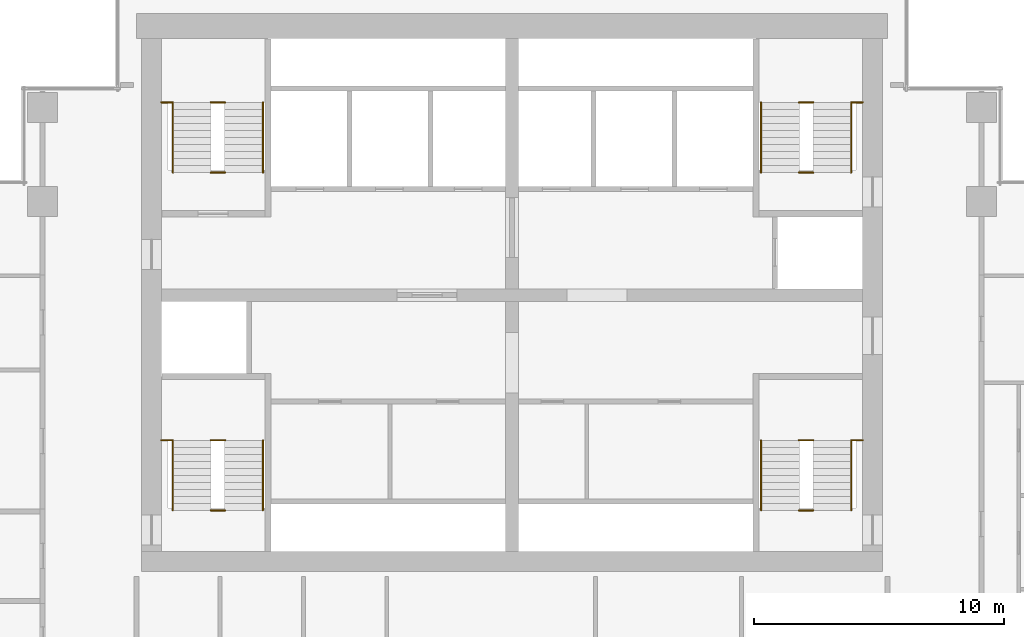
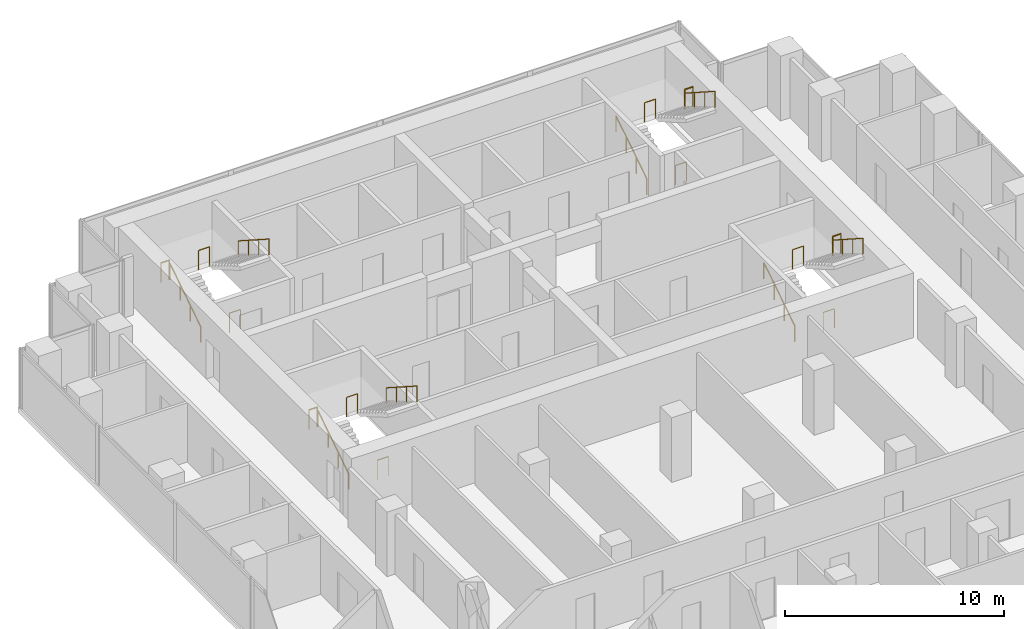
# One storey, part 11 of 11: 20 railings.
"""IFC4 building model written with IfcOpenShell, lengths in metres."""

from ifc_helpers import new_model, si_unit, direction, frame, origin, origin_2d, place, context, subcontext, project, spatial, circle, extrude, material, type_object, element, save


model = new_model("IFC4")

# Units and contexts
model_context = context("Model", 3, precision=1e-05, world=origin(), true_north=direction((0.0, 1.0)))
body_context = subcontext(model_context, "Body", "Model", "MODEL_VIEW")
ifc_project = project(units=[si_unit("LENGTHUNIT", "METRE"), si_unit("AREAUNIT", "SQUARE_METRE"), si_unit("VOLUMEUNIT", "CUBIC_METRE"), si_unit("PLANEANGLEUNIT", "RADIAN"), si_unit("MASSUNIT", "GRAM", prefix="KILO")], contexts=[model_context])

# Site, building, storey
site_placement = place(None, origin())
site = spatial("IfcSite", under=ifc_project, at=site_placement, CompositionType="ELEMENT")
building_placement = place(site_placement, origin())
building = spatial("IfcBuilding", under=site, at=building_placement, Name="Pilkhan Gate Tower", CompositionType="ELEMENT")
storey_placement = place(building_placement, frame((0.0, 0.0, 172.89990234375)))
storey = spatial("IfcBuildingStorey", under=building, at=storey_placement, Name="L44", CompositionType="ELEMENT", Elevation=172.89990234375)

# Railings
ifc_material_1 = material(Name="Black powder-coated steel tube", Category="steel")
railing_type_1 = type_object("IfcRailingType", Name="Stair handrail HR1", PredefinedType="HANDRAIL", material=ifc_material_1)
railing_1_placement = place(storey_placement, frame((84.949951171875, 73.89990234375, 0.0)))
element("IfcRailing", 1, at=railing_1_placement, inside=storey, type_object=railing_type_1, Name="Stair ST1 handrail L44", PredefinedType="HANDRAIL", context=body_context, shape_type="SweptSolid", body=[
    extrude(circle(Radius=0.02392578125, at=origin_2d()), frame((0.0, 0.0, 0.8759765625), z_axis=(0.0, 0.841176092368, 0.540761298198), x_axis=(-1.0, 0.0, 0.0)), (0.0, 0.0, 1.0), 3.32861328125),
    extrude(circle(Radius=0.02099609375, at=origin_2d()), origin(), (0.0, 0.0, 1.0), 0.851806640625),
    extrude(circle(Radius=0.02099609375, at=origin_2d()), frame((0.0, 0.933349609375, 0.60009765625)), (0.0, 0.0, 1.0), 0.851806640625),
    extrude(circle(Radius=0.02099609375, at=origin_2d()), frame((0.0, 1.86669921875, 1.199951171875)), (0.0, 0.0, 1.0), 0.851806640625),
    extrude(circle(Radius=0.02099609375, at=origin_2d()), frame((0.0, 2.800048828125, 1.800048828125)), (0.0, 0.0, 1.0), 0.851806640625),
])
railing_2_placement = place(storey_placement, frame((88.550048828125, 76.699951171875, 1.800048828125)))
element("IfcRailing", 2, at=railing_2_placement, inside=storey, type_object=railing_type_1, Name="Stair ST1 handrail L44", PredefinedType="HANDRAIL", context=body_context, shape_type="SweptSolid", body=[
    extrude(circle(Radius=0.02392578125, at=origin_2d()), frame((0.0, 0.0, 0.8759765625), z_axis=(0.0, -0.841176092368, 0.540761298198), x_axis=(1.0, 0.0, 0.0)), (0.0, 0.0, 1.0), 3.32861328125),
    extrude(circle(Radius=0.02099609375, at=origin_2d()), origin(), (0.0, 0.0, 1.0), 0.851806640625),
    extrude(circle(Radius=0.02099609375, at=origin_2d()), frame((0.0, -0.933349609375, 0.60009765625)), (0.0, 0.0, 1.0), 0.851806640625),
    extrude(circle(Radius=0.02099609375, at=origin_2d()), frame((0.0, -1.86669921875, 1.199951171875)), (0.0, 0.0, 1.0), 0.851806640625),
    extrude(circle(Radius=0.02099609375, at=origin_2d()), frame((0.0, -2.800048828125, 1.800048828125)), (0.0, 0.0, 1.0), 0.851806640625),
])
railing_3_placement = place(storey_placement, frame((61.449951171875, 73.89990234375, 0.0)))
element("IfcRailing", 3, at=railing_3_placement, inside=storey, type_object=railing_type_1, Name="Stair ST2 handrail L44", PredefinedType="HANDRAIL", context=body_context, shape_type="SweptSolid", body=[
    extrude(circle(Radius=0.02392578125, at=origin_2d()), frame((0.0, 0.0, 0.8759765625), z_axis=(0.0, 0.841176092368, 0.540761298198), x_axis=(-1.0, 0.0, 0.0)), (0.0, 0.0, 1.0), 3.32861328125),
    extrude(circle(Radius=0.02099609375, at=origin_2d()), origin(), (0.0, 0.0, 1.0), 0.851806640625),
    extrude(circle(Radius=0.02099609375, at=origin_2d()), frame((0.0, 0.933349609375, 0.60009765625)), (0.0, 0.0, 1.0), 0.851806640625),
    extrude(circle(Radius=0.02099609375, at=origin_2d()), frame((0.0, 1.86669921875, 1.199951171875)), (0.0, 0.0, 1.0), 0.851806640625),
    extrude(circle(Radius=0.02099609375, at=origin_2d()), frame((0.0, 2.800048828125, 1.800048828125)), (0.0, 0.0, 1.0), 0.851806640625),
])
railing_4_placement = place(storey_placement, frame((65.050048828125, 76.699951171875, 1.800048828125)))
element("IfcRailing", 4, at=railing_4_placement, inside=storey, type_object=railing_type_1, Name="Stair ST2 handrail L44", PredefinedType="HANDRAIL", context=body_context, shape_type="SweptSolid", body=[
    extrude(circle(Radius=0.02392578125, at=origin_2d()), frame((0.0, 0.0, 0.8759765625), z_axis=(0.0, -0.841176092368, 0.540761298198), x_axis=(1.0, 0.0, 0.0)), (0.0, 0.0, 1.0), 3.32861328125),
    extrude(circle(Radius=0.02099609375, at=origin_2d()), origin(), (0.0, 0.0, 1.0), 0.851806640625),
    extrude(circle(Radius=0.02099609375, at=origin_2d()), frame((0.0, -0.933349609375, 0.60009765625)), (0.0, 0.0, 1.0), 0.851806640625),
    extrude(circle(Radius=0.02099609375, at=origin_2d()), frame((0.0, -1.86669921875, 1.199951171875)), (0.0, 0.0, 1.0), 0.851806640625),
    extrude(circle(Radius=0.02099609375, at=origin_2d()), frame((0.0, -2.800048828125, 1.800048828125)), (0.0, 0.0, 1.0), 0.851806640625),
])
railing_5_placement = place(storey_placement, frame((61.449951171875, 87.39990234375, 0.0)))
element("IfcRailing", 5, at=railing_5_placement, inside=storey, type_object=railing_type_1, Name="Stair ST3 handrail L44", PredefinedType="HANDRAIL", context=body_context, shape_type="SweptSolid", body=[
    extrude(circle(Radius=0.02392578125, at=origin_2d()), frame((0.0, 0.0, 0.8759765625), z_axis=(0.0, 0.841176092368, 0.540761298198), x_axis=(-1.0, 0.0, 0.0)), (0.0, 0.0, 1.0), 3.32861328125),
    extrude(circle(Radius=0.02099609375, at=origin_2d()), origin(), (0.0, 0.0, 1.0), 0.851806640625),
    extrude(circle(Radius=0.02099609375, at=origin_2d()), frame((0.0, 0.933349609375, 0.60009765625)), (0.0, 0.0, 1.0), 0.851806640625),
    extrude(circle(Radius=0.02099609375, at=origin_2d()), frame((0.0, 1.86669921875, 1.199951171875)), (0.0, 0.0, 1.0), 0.851806640625),
    extrude(circle(Radius=0.02099609375, at=origin_2d()), frame((0.0, 2.800048828125, 1.800048828125)), (0.0, 0.0, 1.0), 0.851806640625),
])
railing_6_placement = place(storey_placement, frame((65.050048828125, 90.199951171875, 1.800048828125)))
element("IfcRailing", 6, at=railing_6_placement, inside=storey, type_object=railing_type_1, Name="Stair ST3 handrail L44", PredefinedType="HANDRAIL", context=body_context, shape_type="SweptSolid", body=[
    extrude(circle(Radius=0.02392578125, at=origin_2d()), frame((0.0, 0.0, 0.8759765625), z_axis=(0.0, -0.841176092368, 0.540761298198), x_axis=(1.0, 0.0, 0.0)), (0.0, 0.0, 1.0), 3.32861328125),
    extrude(circle(Radius=0.02099609375, at=origin_2d()), origin(), (0.0, 0.0, 1.0), 0.851806640625),
    extrude(circle(Radius=0.02099609375, at=origin_2d()), frame((0.0, -0.933349609375, 0.60009765625)), (0.0, 0.0, 1.0), 0.851806640625),
    extrude(circle(Radius=0.02099609375, at=origin_2d()), frame((0.0, -1.86669921875, 1.199951171875)), (0.0, 0.0, 1.0), 0.851806640625),
    extrude(circle(Radius=0.02099609375, at=origin_2d()), frame((0.0, -2.800048828125, 1.800048828125)), (0.0, 0.0, 1.0), 0.851806640625),
])
railing_7_placement = place(storey_placement, frame((84.949951171875, 87.39990234375, 0.0)))
element("IfcRailing", 7, at=railing_7_placement, inside=storey, type_object=railing_type_1, Name="Stair ST4 handrail L44", PredefinedType="HANDRAIL", context=body_context, shape_type="SweptSolid", body=[
    extrude(circle(Radius=0.02392578125, at=origin_2d()), frame((0.0, 0.0, 0.8759765625), z_axis=(0.0, 0.841176092368, 0.540761298198), x_axis=(-1.0, 0.0, 0.0)), (0.0, 0.0, 1.0), 3.32861328125),
    extrude(circle(Radius=0.02099609375, at=origin_2d()), origin(), (0.0, 0.0, 1.0), 0.851806640625),
    extrude(circle(Radius=0.02099609375, at=origin_2d()), frame((0.0, 0.933349609375, 0.60009765625)), (0.0, 0.0, 1.0), 0.851806640625),
    extrude(circle(Radius=0.02099609375, at=origin_2d()), frame((0.0, 1.86669921875, 1.199951171875)), (0.0, 0.0, 1.0), 0.851806640625),
    extrude(circle(Radius=0.02099609375, at=origin_2d()), frame((0.0, 2.800048828125, 1.800048828125)), (0.0, 0.0, 1.0), 0.851806640625),
])
railing_8_placement = place(storey_placement, frame((88.550048828125, 90.199951171875, 1.800048828125)))
element("IfcRailing", 8, at=railing_8_placement, inside=storey, type_object=railing_type_1, Name="Stair ST4 handrail L44", PredefinedType="HANDRAIL", context=body_context, shape_type="SweptSolid", body=[
    extrude(circle(Radius=0.02392578125, at=origin_2d()), frame((0.0, 0.0, 0.8759765625), z_axis=(0.0, -0.841176092368, 0.540761298198), x_axis=(1.0, 0.0, 0.0)), (0.0, 0.0, 1.0), 3.32861328125),
    extrude(circle(Radius=0.02099609375, at=origin_2d()), origin(), (0.0, 0.0, 1.0), 0.851806640625),
    extrude(circle(Radius=0.02099609375, at=origin_2d()), frame((0.0, -0.933349609375, 0.60009765625)), (0.0, 0.0, 1.0), 0.851806640625),
    extrude(circle(Radius=0.02099609375, at=origin_2d()), frame((0.0, -1.86669921875, 1.199951171875)), (0.0, 0.0, 1.0), 0.851806640625),
    extrude(circle(Radius=0.02099609375, at=origin_2d()), frame((0.0, -2.800048828125, 1.800048828125)), (0.0, 0.0, 1.0), 0.851806640625),
])
ifc_material_2 = material(Name="Black powder-coated steel balusters", Category="steel")
railing_type_2 = type_object("IfcRailingType", Name="Stair well guard G3", PredefinedType="GUARDRAIL", material=ifc_material_2)
railing_9_placement = place(storey_placement, frame((88.580078125, 76.699951171875, 1.800048828125)))
element("IfcRailing", 9, at=railing_9_placement, inside=storey, type_object=railing_type_2, Name="Stair ST1 well guard L44", PredefinedType="GUARDRAIL", context=body_context, shape_type="SweptSolid", body=[
    extrude(circle(Radius=0.02392578125, at=origin_2d()), frame((0.0, 0.0, 1.076171875), z_axis=(1.0, 0.0, 0.0), x_axis=(0.0, 1.0, 0.0)), (0.0, 0.0, 1.0), 0.43994140625),
    extrude(circle(Radius=0.02099609375, at=origin_2d()), origin(), (0.0, 0.0, 1.0), 1.052001953125),
    extrude(circle(Radius=0.02099609375, at=origin_2d()), frame((0.43994140625, 0.0, 0.0)), (0.0, 0.0, 1.0), 1.052001953125),
])
for number, where, name in (
    (10, (86.4599609375, 73.89990234375, 0.0), "Stair ST1 well guard L44"),
    (11, (86.4599609375, 76.699951171875, 1.800048828125), "Stair ST1 well guard L44"),
):
    element("IfcRailing", number, at=place(storey_placement, frame(where)), inside=storey, type_object=railing_type_2, Name=name, PredefinedType="GUARDRAIL", context=body_context, shape_type="SweptSolid", body=[
        extrude(circle(Radius=0.02392578125, at=origin_2d()), frame((0.0, 0.0, 1.076171875), z_axis=(1.0, 0.0, 0.0), x_axis=(0.0, 1.0, 0.0)), (0.0, 0.0, 1.0), 0.580078125),
        extrude(circle(Radius=0.02099609375, at=origin_2d()), origin(), (0.0, 0.0, 1.0), 1.052001953125),
        extrude(circle(Radius=0.02099609375, at=origin_2d()), frame((0.580078125, 0.0, 0.0)), (0.0, 0.0, 1.0), 1.052001953125),
    ])
railing_10_placement = place(storey_placement, frame((60.97998046875, 76.699951171875, 1.800048828125)))
element("IfcRailing", 12, at=railing_10_placement, inside=storey, type_object=railing_type_2, Name="Stair ST2 well guard L44", PredefinedType="GUARDRAIL", context=body_context, shape_type="SweptSolid", body=[
    extrude(circle(Radius=0.02392578125, at=origin_2d()), frame((0.0, 0.0, 1.076171875), z_axis=(1.0, 0.0, 0.0), x_axis=(0.0, 1.0, 0.0)), (0.0, 0.0, 1.0), 0.43994140625),
    extrude(circle(Radius=0.02099609375, at=origin_2d()), origin(), (0.0, 0.0, 1.0), 1.052001953125),
    extrude(circle(Radius=0.02099609375, at=origin_2d()), frame((0.43994140625, 0.0, 0.0)), (0.0, 0.0, 1.0), 1.052001953125),
])
for number, where, name in (
    (13, (62.9599609375, 73.89990234375, 0.0), "Stair ST2 well guard L44"),
    (14, (62.9599609375, 76.699951171875, 1.800048828125), "Stair ST2 well guard L44"),
):
    element("IfcRailing", number, at=place(storey_placement, frame(where)), inside=storey, type_object=railing_type_2, Name=name, PredefinedType="GUARDRAIL", context=body_context, shape_type="SweptSolid", body=[
        extrude(circle(Radius=0.02392578125, at=origin_2d()), frame((0.0, 0.0, 1.076171875), z_axis=(1.0, 0.0, 0.0), x_axis=(0.0, 1.0, 0.0)), (0.0, 0.0, 1.0), 0.580078125),
        extrude(circle(Radius=0.02099609375, at=origin_2d()), origin(), (0.0, 0.0, 1.0), 1.052001953125),
        extrude(circle(Radius=0.02099609375, at=origin_2d()), frame((0.580078125, 0.0, 0.0)), (0.0, 0.0, 1.0), 1.052001953125),
    ])
railing_11_placement = place(storey_placement, frame((60.97998046875, 90.199951171875, 1.800048828125)))
element("IfcRailing", 15, at=railing_11_placement, inside=storey, type_object=railing_type_2, Name="Stair ST3 well guard L44", PredefinedType="GUARDRAIL", context=body_context, shape_type="SweptSolid", body=[
    extrude(circle(Radius=0.02392578125, at=origin_2d()), frame((0.0, 0.0, 1.076171875), z_axis=(1.0, 0.0, 0.0), x_axis=(0.0, 1.0, 0.0)), (0.0, 0.0, 1.0), 0.43994140625),
    extrude(circle(Radius=0.02099609375, at=origin_2d()), origin(), (0.0, 0.0, 1.0), 1.052001953125),
    extrude(circle(Radius=0.02099609375, at=origin_2d()), frame((0.43994140625, 0.0, 0.0)), (0.0, 0.0, 1.0), 1.052001953125),
])
for number, where, name in (
    (16, (62.9599609375, 87.39990234375, 0.0), "Stair ST3 well guard L44"),
    (17, (62.9599609375, 90.199951171875, 1.800048828125), "Stair ST3 well guard L44"),
):
    element("IfcRailing", number, at=place(storey_placement, frame(where)), inside=storey, type_object=railing_type_2, Name=name, PredefinedType="GUARDRAIL", context=body_context, shape_type="SweptSolid", body=[
        extrude(circle(Radius=0.02392578125, at=origin_2d()), frame((0.0, 0.0, 1.076171875), z_axis=(1.0, 0.0, 0.0), x_axis=(0.0, 1.0, 0.0)), (0.0, 0.0, 1.0), 0.580078125),
        extrude(circle(Radius=0.02099609375, at=origin_2d()), origin(), (0.0, 0.0, 1.0), 1.052001953125),
        extrude(circle(Radius=0.02099609375, at=origin_2d()), frame((0.580078125, 0.0, 0.0)), (0.0, 0.0, 1.0), 1.052001953125),
    ])
railing_12_placement = place(storey_placement, frame((88.580078125, 90.199951171875, 1.800048828125)))
element("IfcRailing", 18, at=railing_12_placement, inside=storey, type_object=railing_type_2, Name="Stair ST4 well guard L44", PredefinedType="GUARDRAIL", context=body_context, shape_type="SweptSolid", body=[
    extrude(circle(Radius=0.02392578125, at=origin_2d()), frame((0.0, 0.0, 1.076171875), z_axis=(1.0, 0.0, 0.0), x_axis=(0.0, 1.0, 0.0)), (0.0, 0.0, 1.0), 0.43994140625),
    extrude(circle(Radius=0.02099609375, at=origin_2d()), origin(), (0.0, 0.0, 1.0), 1.052001953125),
    extrude(circle(Radius=0.02099609375, at=origin_2d()), frame((0.43994140625, 0.0, 0.0)), (0.0, 0.0, 1.0), 1.052001953125),
])
for number, where, name in (
    (19, (86.4599609375, 87.39990234375, 0.0), "Stair ST4 well guard L44"),
    (20, (86.4599609375, 90.199951171875, 1.800048828125), "Stair ST4 well guard L44"),
):
    element("IfcRailing", number, at=place(storey_placement, frame(where)), inside=storey, type_object=railing_type_2, Name=name, PredefinedType="GUARDRAIL", context=body_context, shape_type="SweptSolid", body=[
        extrude(circle(Radius=0.02392578125, at=origin_2d()), frame((0.0, 0.0, 1.076171875), z_axis=(1.0, 0.0, 0.0), x_axis=(0.0, 1.0, 0.0)), (0.0, 0.0, 1.0), 0.580078125),
        extrude(circle(Radius=0.02099609375, at=origin_2d()), origin(), (0.0, 0.0, 1.0), 1.052001953125),
        extrude(circle(Radius=0.02099609375, at=origin_2d()), frame((0.580078125, 0.0, 0.0)), (0.0, 0.0, 1.0), 1.052001953125),
    ])

save(model, "model.ifc")
